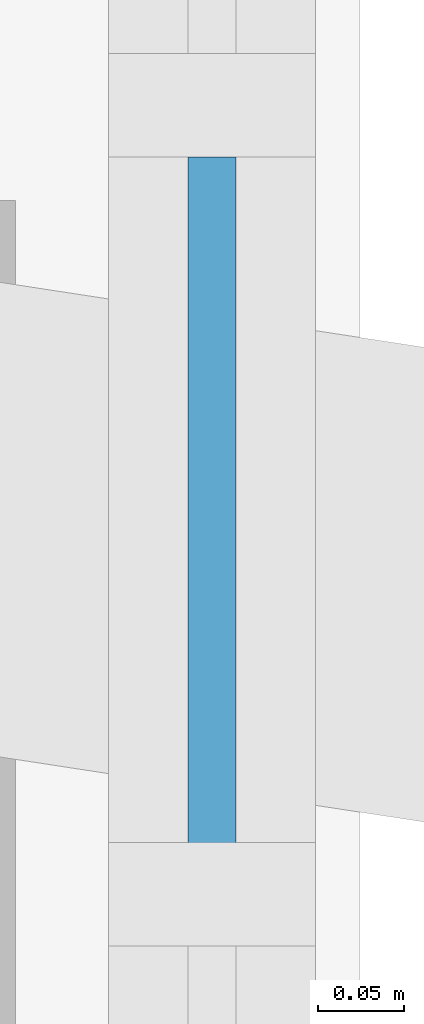
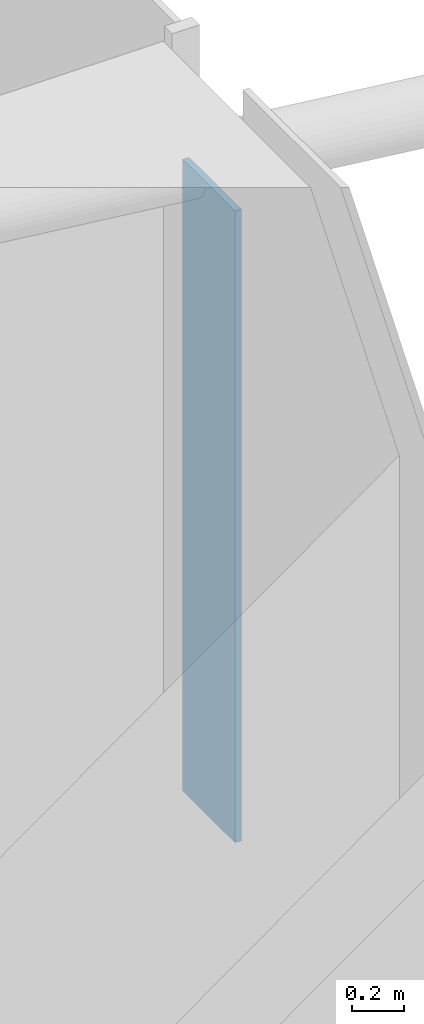
# One storey, part 24 of 38: 1 plate, 1 element without a shape of its own.
"""IFC4 building model written with IfcOpenShell, lengths in metres."""

from ifc_helpers import new_model, si_unit, direction, frame, origin, origin_2d, place, context, subcontext, project, spatial, rectangle, extrude, material, layer, layer_set, type_object, element, aggregate, save


model = new_model("IFC4")

# Units and contexts
model_context = context("Model", 3, precision=1e-05, world=origin(), true_north=direction((0.0, 1.0)))
body_context = subcontext(model_context, "Body", "Model", "MODEL_VIEW")
ifc_project = project(units=[si_unit("LENGTHUNIT", "METRE"), si_unit("AREAUNIT", "SQUARE_METRE"), si_unit("VOLUMEUNIT", "CUBIC_METRE"), si_unit("PLANEANGLEUNIT", "RADIAN"), si_unit("MASSUNIT", "GRAM", prefix="KILO")], contexts=[model_context])

# Site, building, storey
site_placement = place(None, origin())
site = spatial("IfcSite", under=ifc_project, at=site_placement, CompositionType="ELEMENT")
building_placement = place(site_placement, origin())
building = spatial("IfcBuilding", under=site, at=building_placement, Name="Marenta Gate Hotel Tower", CompositionType="ELEMENT")
storey_placement = place(building_placement, frame((0.0, 0.0, 54.5)))
storey = spatial("IfcBuildingStorey", under=building, at=storey_placement, Name="L11", CompositionType="ELEMENT", Elevation=54.5)

# Curtain wall, plate
ifc_material_1 = material(Name="Tinted insulated glass in bronze anodised frame", Category="glass")
ifc_layer_1 = layer(ifc_material_1, 0.1201171875)
ifc_layer_set_1 = layer_set([ifc_layer_1], Name="Tinted insulated glass in bronze anodised frame")
curtain_wall_type = type_object("IfcCurtainWallType", Name="Tower unitised curtain wall CW1", PredefinedType="NOTDEFINED", material=ifc_layer_set_1)
curtain_wall_placement = place(storey_placement, origin())
curtain_wall = element("IfcCurtainWall", 1, at=curtain_wall_placement, inside=storey, type_object=curtain_wall_type, Name="CW1 run G33", PredefinedType="NOTDEFINED")
ifc_material_2 = material(Name="Tinted insulated glass", Category="glass")
ifc_layer_2 = layer(ifc_material_2, 0.028076171875)
ifc_layer_set_2 = layer_set([ifc_layer_2], Name="Tinted insulated glass")
plate_type = type_object("IfcPlateType", Name="Glass panel CW1 28 mm tinted insulated unit", PredefinedType="CURTAIN_PANEL", material=ifc_layer_set_2)
plate_placement = place(storey_placement, frame((29.4140625, 10.776123046875, 0.06005859375), z_axis=(0.0, 0.0, 1.0), x_axis=(0.0, 1.0, 0.0)))
plate = element("IfcPlate", 2, at=plate_placement, type_object=plate_type, Name="CW1 panel 1.1", PredefinedType="CURTAIN_PANEL", context=body_context, shape_type="SweptSolid", body=[
    extrude(rectangle(XDim=0.398193359375, YDim=0.028076171875, at=origin_2d()), origin(), (0.0, 0.0, 1.0), 2.9404296875),
])
aggregate(curtain_wall, [plate])

save(model, "model.ifc")
